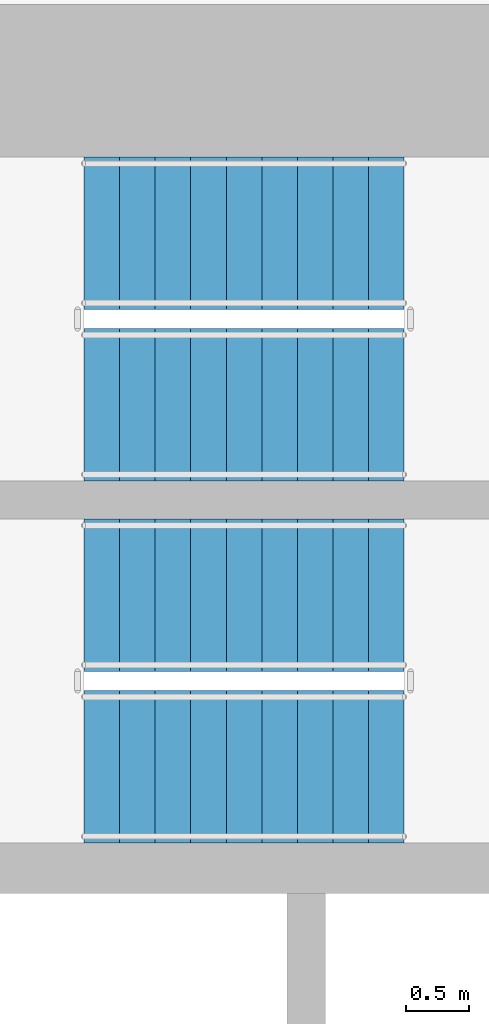
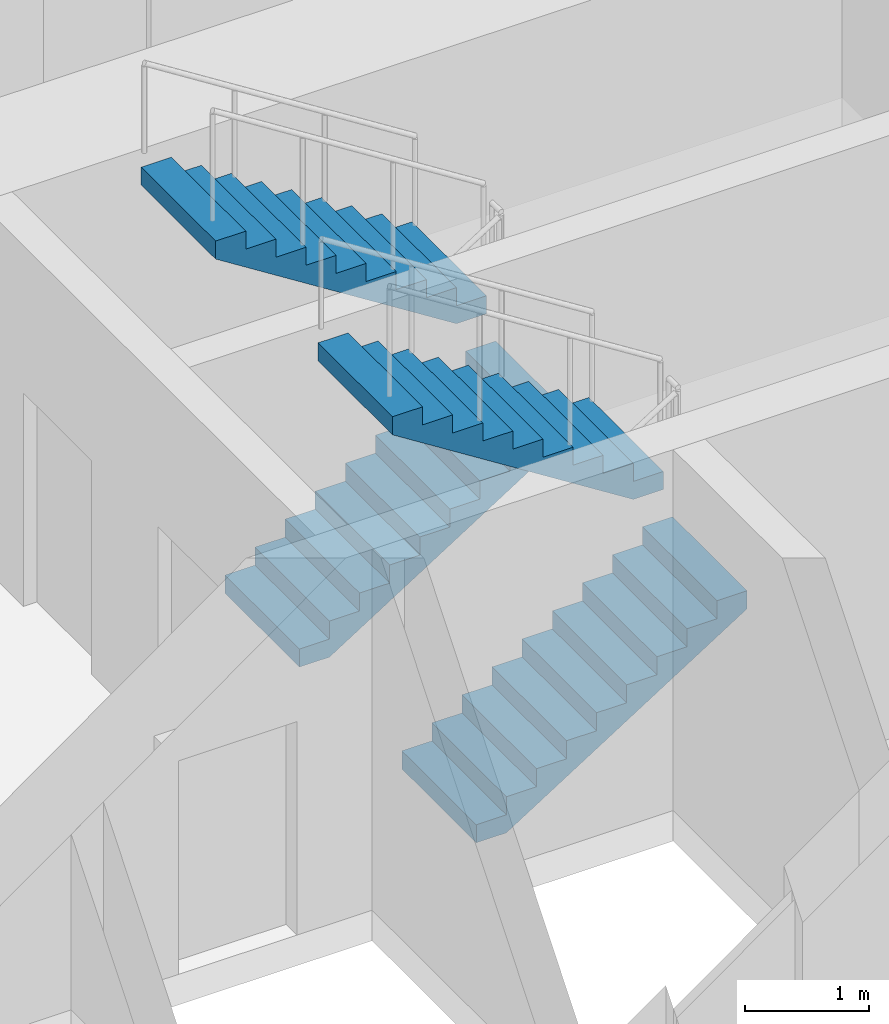
# One storey, part 14 of 19: 4 stair flights, 2 elements without a shape of their own.
"""IFC4 building model written with IfcOpenShell, lengths in metres."""

from ifc_helpers import new_model, si_unit, direction, frame, origin, place, context, subcontext, project, spatial, polyline, outline, extrude, material, type_object, element, aggregate, save


model = new_model("IFC4")

# Units and contexts
model_context = context("Model", 3, precision=1e-05, world=origin(), true_north=direction((0.0, 1.0)))
body_context = subcontext(model_context, "Body", "Model", "MODEL_VIEW")
ifc_project = project(units=[si_unit("LENGTHUNIT", "METRE"), si_unit("AREAUNIT", "SQUARE_METRE"), si_unit("VOLUMEUNIT", "CUBIC_METRE"), si_unit("PLANEANGLEUNIT", "RADIAN"), si_unit("MASSUNIT", "GRAM", prefix="KILO")], contexts=[model_context])

# Site, building, storey
site_placement = place(None, origin())
site = spatial("IfcSite", under=ifc_project, at=site_placement, CompositionType="ELEMENT")
building_placement = place(site_placement, origin())
building = spatial("IfcBuilding", under=site, at=building_placement, Name="Ostrand Prow Hotel Tower", CompositionType="ELEMENT")
storey_placement = place(building_placement, frame((0.0, 0.0, 68.0)))
storey = spatial("IfcBuildingStorey", under=building, at=storey_placement, Name="L15", CompositionType="ELEMENT", Elevation=68.0)

# Stair, stair flights
ifc_material_1 = material(Name="Concrete C40/50", Category="concrete")
stair_type = type_object("IfcStairType", Name="Exit stair 1200 upper zone", PredefinedType="HALF_TURN_STAIR", material=ifc_material_1)
stair_1_placement = place(storey_placement, origin())
stair_1 = element("IfcStair", 1, at=stair_1_placement, inside=storey, type_object=stair_type, Name="L15 ST1C", PredefinedType="HALF_TURN_STAIR")
ifc_material_2 = material(Name="Concrete C40/50", Category="concrete")
stair_flight_type = type_object("IfcStairFlightType", Name="Stair flight 1200 concrete", PredefinedType="STRAIGHT", material=ifc_material_2)
stair_flight_1_placement = place(storey_placement, frame((57.199951171875, 10.949951171875, 0.0), z_axis=(0.0, 0.0, 1.0), x_axis=(1.0, 0.0, 0.0)))
stair_flight_1 = element("IfcStairFlight", 2, at=stair_flight_1_placement, type_object=stair_flight_type, Name="ST1C flight 1", NumberOfRisers=10, NumberOfTreads=9, PredefinedType="STRAIGHT", RiserHeight=0.1775, TreadLength=0.28, context=body_context, shape_type="SweptSolid", body=[
    extrude(outline(polyline([(0.0, 0.0), (0.0, 0.177490234375), (0.280029296875, 0.177490234375), (0.280029296875, 0.35498046875), (0.56005859375, 0.35498046875), (0.56005859375, 0.532470703125), (0.840087890625, 0.532470703125), (0.840087890625, 0.7099609375), (1.1201171875, 0.7099609375), (1.1201171875, 0.887451171875), (1.39990234375, 0.887451171875), (1.39990234375, 1.06494140625), (1.679931640625, 1.06494140625), (1.679931640625, 1.242431640625), (1.9599609375, 1.242431640625), (1.9599609375, 1.419921875), (2.239990234375, 1.419921875), (2.239990234375, 1.597412109375), (2.52001953125, 1.597412109375), (2.52001953125, 1.77490234375), (2.52001953125, 1.419921875), (0.280029296875, 0.0), (0.0, 0.0)])), frame((0.0, 0.60009765625, 0.0), z_axis=(0.0, -1.0, 0.0), x_axis=(1.0, 0.0, 0.0)), (0.0, 0.0, 1.0), 1.199951171875),
])
stair_flight_2_placement = place(storey_placement, frame((59.719970703125, 12.300048828125, 1.77490234375), z_axis=(0.0, 0.0, 1.0), x_axis=(-1.0, 0.0, 0.0)))
stair_flight_2 = element("IfcStairFlight", 3, at=stair_flight_2_placement, type_object=stair_flight_type, Name="ST1C flight 2", NumberOfRisers=10, NumberOfTreads=9, PredefinedType="STRAIGHT", RiserHeight=0.1775, TreadLength=0.28, context=body_context, shape_type="SweptSolid", body=[
    extrude(outline(polyline([(0.0, 0.0), (0.0, 0.177490234375), (0.280029296875, 0.177490234375), (0.280029296875, 0.35498046875), (0.56005859375, 0.35498046875), (0.56005859375, 0.532470703125), (0.840087890625, 0.532470703125), (0.840087890625, 0.7099609375), (1.1201171875, 0.7099609375), (1.1201171875, 0.887451171875), (1.39990234375, 0.887451171875), (1.39990234375, 1.06494140625), (1.679931640625, 1.06494140625), (1.679931640625, 1.242431640625), (1.9599609375, 1.242431640625), (1.9599609375, 1.419921875), (2.239990234375, 1.419921875), (2.239990234375, 1.597412109375), (2.52001953125, 1.597412109375), (2.52001953125, 1.77490234375), (2.52001953125, 1.419921875), (0.280029296875, 0.0), (0.0, 0.0)])), frame((0.0, 0.60009765625, 0.0), z_axis=(0.0, -1.0, 0.0), x_axis=(1.0, 0.0, 0.0)), (0.0, 0.0, 1.0), 1.199951171875),
])
aggregate(stair_1, [stair_flight_1, stair_flight_2])

stair_2_placement = place(storey_placement, origin())
stair_2 = element("IfcStair", 4, at=stair_2_placement, inside=storey, type_object=stair_type, Name="L15 ST3C", PredefinedType="HALF_TURN_STAIR")
stair_flight_3_placement = place(storey_placement, frame((57.199951171875, 13.800048828125, 0.0), z_axis=(0.0, 0.0, 1.0), x_axis=(1.0, 0.0, 0.0)))
stair_flight_3 = element("IfcStairFlight", 5, at=stair_flight_3_placement, type_object=stair_flight_type, Name="ST3C flight 1", NumberOfRisers=10, NumberOfTreads=9, PredefinedType="STRAIGHT", RiserHeight=0.1775, TreadLength=0.28, context=body_context, shape_type="SweptSolid", body=[
    extrude(outline(polyline([(0.0, 0.0), (0.0, 0.177490234375), (0.280029296875, 0.177490234375), (0.280029296875, 0.35498046875), (0.56005859375, 0.35498046875), (0.56005859375, 0.532470703125), (0.840087890625, 0.532470703125), (0.840087890625, 0.7099609375), (1.1201171875, 0.7099609375), (1.1201171875, 0.887451171875), (1.39990234375, 0.887451171875), (1.39990234375, 1.06494140625), (1.679931640625, 1.06494140625), (1.679931640625, 1.242431640625), (1.9599609375, 1.242431640625), (1.9599609375, 1.419921875), (2.239990234375, 1.419921875), (2.239990234375, 1.597412109375), (2.52001953125, 1.597412109375), (2.52001953125, 1.77490234375), (2.52001953125, 1.419921875), (0.280029296875, 0.0), (0.0, 0.0)])), frame((0.0, 0.60009765625, 0.0), z_axis=(0.0, -1.0, 0.0), x_axis=(1.0, 0.0, 0.0)), (0.0, 0.0, 1.0), 1.199951171875),
])
stair_flight_4_placement = place(storey_placement, frame((59.719970703125, 15.14990234375, 1.77490234375), z_axis=(0.0, 0.0, 1.0), x_axis=(-1.0, 0.0, 0.0)))
stair_flight_4 = element("IfcStairFlight", 6, at=stair_flight_4_placement, type_object=stair_flight_type, Name="ST3C flight 2", NumberOfRisers=10, NumberOfTreads=9, PredefinedType="STRAIGHT", RiserHeight=0.1775, TreadLength=0.28, context=body_context, shape_type="SweptSolid", body=[
    extrude(outline(polyline([(0.0, 0.0), (0.0, 0.177490234375), (0.280029296875, 0.177490234375), (0.280029296875, 0.35498046875), (0.56005859375, 0.35498046875), (0.56005859375, 0.532470703125), (0.840087890625, 0.532470703125), (0.840087890625, 0.7099609375), (1.1201171875, 0.7099609375), (1.1201171875, 0.887451171875), (1.39990234375, 0.887451171875), (1.39990234375, 1.06494140625), (1.679931640625, 1.06494140625), (1.679931640625, 1.242431640625), (1.9599609375, 1.242431640625), (1.9599609375, 1.419921875), (2.239990234375, 1.419921875), (2.239990234375, 1.597412109375), (2.52001953125, 1.597412109375), (2.52001953125, 1.77490234375), (2.52001953125, 1.419921875), (0.280029296875, 0.0), (0.0, 0.0)])), frame((0.0, 0.60009765625, 0.0), z_axis=(0.0, -1.0, 0.0), x_axis=(1.0, 0.0, 0.0)), (0.0, 0.0, 1.0), 1.199951171875),
])
aggregate(stair_2, [stair_flight_3, stair_flight_4])

save(model, "model.ifc")
